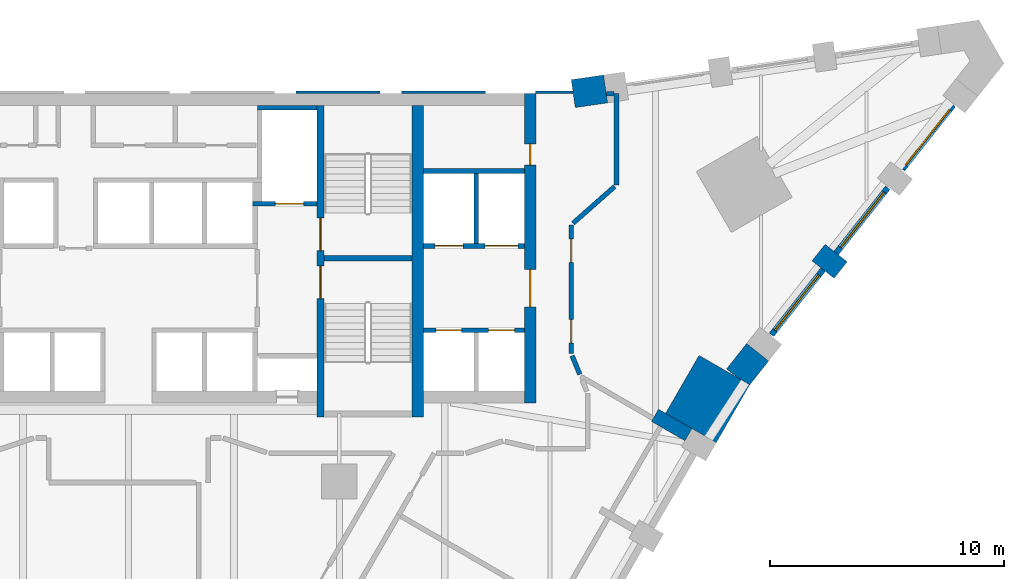
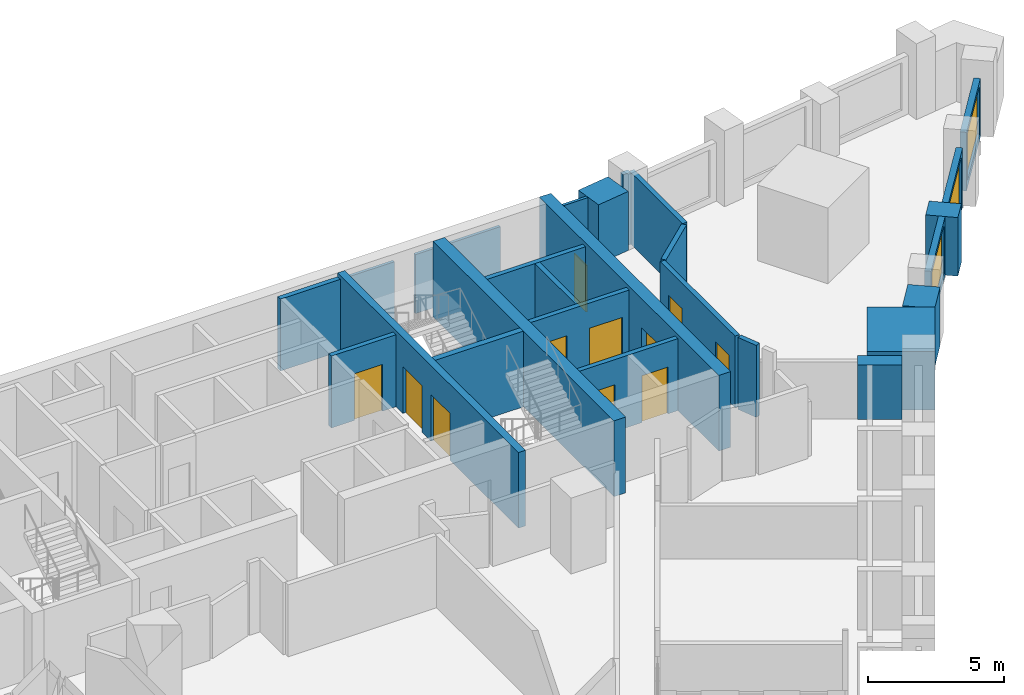
# One storey, part 8 of 10: 26 walls, 11 doors, 3 windows, 14 openings.
"""IFC4 building model written with IfcOpenShell, lengths in metres."""

from ifc_helpers import new_model, si_unit, direction, frame, frame_2d, origin, place, context, subcontext, project, spatial, polyline, rectangle, outline, extrude, material, layer, layer_set, type_object, element, fill, save


model = new_model("IFC4")

# Units and contexts
model_context = context("Model", 3, precision=1e-05, world=origin(), true_north=direction((0.0, 1.0)))
body_context = subcontext(model_context, "Body", "Model", "MODEL_VIEW")
ifc_project = project(units=[si_unit("LENGTHUNIT", "METRE"), si_unit("AREAUNIT", "SQUARE_METRE"), si_unit("VOLUMEUNIT", "CUBIC_METRE"), si_unit("PLANEANGLEUNIT", "RADIAN"), si_unit("MASSUNIT", "GRAM", prefix="KILO")], contexts=[model_context])

# Site, building, storey
site_placement = place(None, origin())
site = spatial("IfcSite", under=ifc_project, at=site_placement, CompositionType="ELEMENT")
building_placement = place(site_placement, origin())
building = spatial("IfcBuilding", under=site, at=building_placement, Name="Calabash Gate Tower", CompositionType="ELEMENT")
storey_placement = place(building_placement, frame((0.0, 0.0, 95.199951171875)))
storey = spatial("IfcBuildingStorey", under=building, at=storey_placement, Name="L20", CompositionType="ELEMENT", Elevation=95.199951171875)

# Walls
ifc_material_1 = material(Name="Terracotta brick masonry, exposed face", Category="masonry")
ifc_layer_1 = layer(ifc_material_1, 2.5)
ifc_layer_set_1 = layer_set([ifc_layer_1], Name="Brick corner mass wall 2500")
wall_type_1 = type_object("IfcWallType", Name="Brick corner mass wall 2500", PredefinedType="SOLIDWALL", material=ifc_layer_set_1)
wall_1_placement = place(storey_placement, origin())
element("IfcWall", 1, at=wall_1_placement, inside=storey, type_object=wall_type_1, Name="Brick corner pier S05 2", PredefinedType="SOLIDWALL", context=body_context, shape_type="SweptSolid", body=[
    extrude(outline(polyline([(22.927001953125, 5.405517578125), (25.092041015625, 4.155517578125), (26.51953125, 6.628173828125), (24.3544921875, 7.878173828125), (22.927001953125, 5.405517578125)])), origin(), (0.0, 0.0, 1.0), 2.630126953125),
])
ifc_material_2 = material(Name="Terracotta brick masonry, exposed face", Category="masonry")
ifc_layer_2 = layer(ifc_material_2, 1.199951171875)
ifc_layer_set_2 = layer_set([ifc_layer_2], Name="Brick end wall 1200")
wall_type_2 = type_object("IfcWallType", Name="Brick end wall 1200", PredefinedType="SOLIDWALL", material=ifc_layer_set_2)
wall_2_placement = place(storey_placement, frame((30.398193359375, 11.5224609375, 0.0), z_axis=(0.0, 0.0, 1.0), x_axis=(-0.784330409431, 0.620343299184, 0.0)))
element("IfcWall", 2, at=wall_2_placement, inside=storey, type_object=wall_type_2, Name="Brick pier S05 wedge3.1", PredefinedType="SOLIDWALL", context=body_context, shape_type="SweptSolid", body=[
    extrude(rectangle(XDim=1.199951171875, YDim=0.89990234375, at=frame_2d((0.60009765625, 0.0))), origin(), (0.0, 0.0, 1.0), 2.630126953125),
])
wall_3_placement = place(storey_placement, origin())
element("IfcWall", 3, at=wall_3_placement, inside=storey, type_object=wall_type_2, Name="Brick end wall S05 1", PredefinedType="SOLIDWALL", context=body_context, shape_type="SweptSolid", body=[
    extrude(outline(polyline([(26.386474609375, 8.38427734375), (25.529296875, 7.30029296875), (26.0, 6.92822265625), (26.51953125, 6.628173828125), (26.497802734375, 6.59033203125), (27.32763671875, 7.639892578125), (26.386474609375, 8.38427734375)])), origin(), (0.0, 0.0, 1.0), 2.630126953125),
])
wall_4_placement = place(storey_placement, frame((18.98583984375, 19.050537109375, 0.0), z_axis=(0.0, 0.0, 1.0), x_axis=(0.989435994601, 0.144970385211, 0.0)))
element("IfcWall", 4, at=wall_4_placement, inside=storey, type_object=wall_type_2, Name="Brick end wall S05 3", PredefinedType="SOLIDWALL", context=body_context, shape_type="SweptSolid", body=[
    extrude(rectangle(XDim=1.39599609375, YDim=1.199951171875, at=frame_2d((0.697998046875, 0.0))), origin(), (0.0, 0.0, 1.0), 2.650146484375),
])
ifc_material_3 = material(Name="Terracotta brick masonry, exposed face", Category="masonry")
ifc_layer_3 = layer(ifc_material_3, 0.300048828125)
ifc_layer_set_3 = layer_set([ifc_layer_3], Name="Brick loggia cheek wall 300")
wall_type_3 = type_object("IfcWallType", Name="Brick loggia cheek wall 300", PredefinedType="SOLIDWALL", material=ifc_layer_set_3)
wall_5_placement = place(storey_placement, frame((22.473876953125, 5.32080078125, 0.0), z_axis=(0.0, 0.0, 1.0), x_axis=(0.866040211805, -0.499974350878, 0.0)))
element("IfcWall", 5, at=wall_5_placement, inside=storey, type_object=wall_type_3, Name="Loggia cheek S05 SE2.8", PredefinedType="SOLIDWALL", context=body_context, shape_type="SweptSolid", body=[
    extrude(rectangle(XDim=1.64990234375, YDim=0.60009765625, at=frame_2d((0.824951171875, 0.0))), origin(), (0.0, 0.0, 1.0), 2.4501953125),
])
ifc_material_4 = material(Name="Concrete C80/95", Category="concrete")
ifc_layer_4 = layer(ifc_material_4, 0.25)
ifc_layer_set_4 = layer_set([ifc_layer_4], Name="Core wall 250 Concrete C80/95")
wall_type_4 = type_object("IfcWallType", Name="Core wall 250 Concrete C80/95", PredefinedType="SHEAR", material=ifc_layer_set_4)
wall_6_placement = place(storey_placement, frame((8.35009765625, 12.027587890625, 0.0), z_axis=(0.0, 0.0, 1.0), x_axis=(1.0, 0.0, 0.0)))
element("IfcWall", 6, at=wall_6_placement, inside=storey, type_object=wall_type_4, Name="Core wall Z2-MIDE L20", PredefinedType="SHEAR", context=body_context, shape_type="SweptSolid", body=[
    extrude(rectangle(XDim=3.75, YDim=0.25, at=frame_2d((1.875, 0.0))), origin(), (0.0, 0.0, 1.0), 3.400146484375),
])

# Wall, openings, doors
ifc_material_5 = material(Name="Concrete C80/95", Category="concrete")
ifc_layer_5 = layer(ifc_material_5, 0.300048828125)
ifc_layer_set_5 = layer_set([ifc_layer_5], Name="Core wall 300 Concrete C80/95")
wall_type_5 = type_object("IfcWallType", Name="Core wall 300 Concrete C80/95", PredefinedType="SHEAR", material=ifc_layer_set_5)
wall_7_placement = place(storey_placement, frame((8.199951171875, 5.252685546875, 0.0), z_axis=(0.0, 0.0, 1.0), x_axis=(0.0, 1.0, 0.0)))
wall_7 = element("IfcWall", 7, at=wall_7_placement, inside=storey, type_object=wall_type_5, Name="Core wall Z2-PARTE L20", PredefinedType="SHEAR", context=body_context, shape_type="SweptSolid", body=[
    extrude(rectangle(XDim=13.2998046875, YDim=0.300048828125, at=frame_2d((6.64990234375, 0.0))), origin(), (0.0, 0.0, 1.0), 3.400146484375),
])
opening_1_placement = place(wall_7_placement, frame((7.10009765625, 0.0, 0.0)))
opening_1 = element("IfcOpeningElement", 8, at=opening_1_placement, cuts=wall_7, Name="Opening H5-016", PredefinedType="OPENING", context=body_context, shape_type="SweptSolid", body=[
    extrude(rectangle(XDim=1.39990234375, YDim=2.10009765625, at=frame_2d((0.699951171875, 1.050048828125))), frame((0.0, 0.159912109375, 0.0), z_axis=(0.0, -1.0, 0.0), x_axis=(1.0, 0.0, 0.0)), (0.0, 0.0, 1.0), 0.320068359375),
])
opening_2_placement = place(wall_7_placement, frame((5.050048828125, 0.0, 0.0)))
opening_2 = element("IfcOpeningElement", 9, at=opening_2_placement, cuts=wall_7, Name="Opening H5-017", PredefinedType="OPENING", context=body_context, shape_type="SweptSolid", body=[
    extrude(rectangle(XDim=1.39990234375, YDim=2.10009765625, at=frame_2d((0.699951171875, 1.050048828125))), frame((0.0, 0.159912109375, 0.0), z_axis=(0.0, -1.0, 0.0), x_axis=(1.0, 0.0, 0.0)), (0.0, 0.0, 1.0), 0.320068359375),
])
ifc_material_6 = material(Name="Steel fire door set with fire-resisting glazing", Category="steel")
door_type_1 = type_object("IfcDoorType", Name="Fire door D05 1400x2100 FD90", OperationType="NOTDEFINED", PredefinedType="DOOR", material=ifc_material_6)
door_1_placement = place(opening_1_placement, origin())
door_1 = element("IfcDoor", 10, at=door_1_placement, inside=storey, type_object=door_type_1, Name="Exit stair door ST3", OperationType="SINGLE_SWING_RIGHT", OverallHeight=2.10009765625, OverallWidth=1.39990234375, PredefinedType="DOOR", context=body_context, shape_type="SweptSolid", body=[
    extrude(rectangle(XDim=1.39990234375, YDim=2.10009765625, at=frame_2d((0.699951171875, 1.050048828125))), frame((0.0, 0.02490234375, 0.0), z_axis=(0.0, -1.0, 0.0), x_axis=(1.0, 0.0, 0.0)), (0.0, 0.0, 1.0), 0.050048828125),
])
fill(opening_1, door_1)
door_2_placement = place(opening_2_placement, origin())
door_2 = element("IfcDoor", 11, at=door_2_placement, inside=storey, type_object=door_type_1, Name="Exit stair door ST4", OperationType="SINGLE_SWING_LEFT", OverallHeight=2.10009765625, OverallWidth=1.39990234375, PredefinedType="DOOR", context=body_context, shape_type="SweptSolid", body=[
    extrude(rectangle(XDim=1.39990234375, YDim=2.10009765625, at=frame_2d((0.699951171875, 1.050048828125))), frame((0.0, 0.02490234375, 0.0), z_axis=(0.0, -1.0, 0.0), x_axis=(1.0, 0.0, 0.0)), (0.0, 0.0, 1.0), 0.050048828125),
])
fill(opening_2, door_2)

# Wall
ifc_material_7 = material(Name="Concrete C80/95", Category="concrete")
ifc_layer_6 = layer(ifc_material_7, 0.5)
ifc_layer_set_6 = layer_set([ifc_layer_6], Name="Core wall 500 Concrete C80/95")
wall_type_6 = type_object("IfcWallType", Name="Core wall 500 Concrete C80/95", PredefinedType="SHEAR", material=ifc_layer_set_6)
wall_8_placement = place(storey_placement, frame((12.35009765625, 5.252685546875, 0.0), z_axis=(0.0, 0.0, 1.0), x_axis=(0.0, 1.0, 0.0)))
element("IfcWall", 12, at=wall_8_placement, inside=storey, type_object=wall_type_6, Name="Core wall Z2-COLE L20", PredefinedType="SHEAR", context=body_context, shape_type="SweptSolid", body=[
    extrude(rectangle(XDim=13.2998046875, YDim=0.5, at=frame_2d((6.64990234375, 0.0))), origin(), (0.0, 0.0, 1.0), 3.400146484375),
])

# Wall, openings, doors
wall_9_placement = place(storey_placement, frame((17.14990234375, 5.8525390625, 0.0), z_axis=(0.0, 0.0, 1.0), x_axis=(0.0, 1.0, 0.0)))
wall_9 = element("IfcWall", 13, at=wall_9_placement, inside=storey, type_object=wall_type_6, Name="Core wall Z2-ENDE L20", PredefinedType="SHEAR", context=body_context, shape_type="SweptSolid", body=[
    extrude(rectangle(XDim=13.199951171875, YDim=0.5, at=frame_2d((6.60009765625, 0.0))), origin(), (0.0, 0.0, 1.0), 3.400146484375),
])
opening_3_placement = place(wall_9_placement, frame((4.10009765625, 0.0, 0.0)))
opening_3 = element("IfcOpeningElement", 14, at=opening_3_placement, cuts=wall_9, Name="Opening H5-002", PredefinedType="OPENING", context=body_context, shape_type="SweptSolid", body=[
    extrude(rectangle(XDim=1.60009765625, YDim=2.10009765625, at=frame_2d((0.800048828125, 1.050048828125))), frame((0.0, 0.260009765625, 0.0), z_axis=(0.0, -1.0, 0.0), x_axis=(1.0, 0.0, 0.0)), (0.0, 0.0, 1.0), 0.52001953125),
])
opening_4_placement = place(wall_9_placement, frame((10.14990234375, 0.0, 0.0)))
opening_4 = element("IfcOpeningElement", 15, at=opening_4_placement, cuts=wall_9, Name="Opening H5-001", PredefinedType="OPENING", context=body_context, shape_type="SweptSolid", body=[
    extrude(rectangle(XDim=0.89990234375, YDim=2.10009765625, at=frame_2d((0.449951171875, 1.050048828125))), frame((0.0, 0.260009765625, 0.0), z_axis=(0.0, -1.0, 0.0), x_axis=(1.0, 0.0, 0.0)), (0.0, 0.0, 1.0), 0.52001953125),
])
ifc_material_8 = material(Name="Steel fire door set with fire-resisting glazing", Category="steel")
door_type_2 = type_object("IfcDoorType", Name="Double fire door D08 1600x2100 FD60", OperationType="DOUBLE_DOOR_SINGLE_SWING", PredefinedType="DOOR", material=ifc_material_8)
door_3_placement = place(opening_3_placement, origin())
door_3 = element("IfcDoor", 16, at=door_3_placement, inside=storey, type_object=door_type_2, Name="Low-rise Lift Lobby E door", OperationType="DOUBLE_DOOR_SINGLE_SWING", OverallHeight=2.10009765625, OverallWidth=1.60009765625, PredefinedType="DOOR", context=body_context, shape_type="SweptSolid", body=[
    extrude(rectangle(XDim=1.60009765625, YDim=2.10009765625, at=frame_2d((0.800048828125, 1.050048828125))), frame((0.0, 0.02490234375, 0.0), z_axis=(0.0, -1.0, 0.0), x_axis=(1.0, 0.0, 0.0)), (0.0, 0.0, 1.0), 0.050048828125),
])
fill(opening_3, door_3)
ifc_material_9 = material(Name="Steel fire door set with fire-resisting glazing", Category="steel")
door_type_3 = type_object("IfcDoorType", Name="Fire door D06 900x2100 FD60", OperationType="NOTDEFINED", PredefinedType="DOOR", material=ifc_material_9)
door_4_placement = place(opening_4_placement, origin())
door_4 = element("IfcDoor", 17, at=door_4_placement, inside=storey, type_object=door_type_3, Name="Linen Store door", OperationType="SINGLE_SWING_LEFT", OverallHeight=2.10009765625, OverallWidth=0.89990234375, PredefinedType="DOOR", context=body_context, shape_type="SweptSolid", body=[
    extrude(rectangle(XDim=0.89990234375, YDim=2.10009765625, at=frame_2d((0.449951171875, 1.050048828125))), frame((0.0, 0.02490234375, 0.0), z_axis=(0.0, -1.0, 0.0), x_axis=(1.0, 0.0, 0.0)), (0.0, 0.0, 1.0), 0.050048828125),
])
fill(opening_4, door_4)

# Wall
ifc_material_10 = material(Name="Gypsum board on steel studs, mineral wool", Category="steel")
ifc_layer_7 = layer(ifc_material_10, 0.199951171875)
ifc_layer_set_7 = layer_set([ifc_layer_7], Name="Partition 200 gypsum board EI 60")
wall_type_7 = type_object("IfcWallType", Name="Partition 200 gypsum board EI 60", PredefinedType="PARTITIONING", material=ifc_layer_set_7)
wall_10_placement = place(storey_placement, frame((18.938720703125, 7.860107421875, 0.0), z_axis=(0.0, 0.0, 1.0), x_axis=(0.382057312896, -0.924138631193, 0.0)))
element("IfcWall", 18, at=wall_10_placement, inside=storey, type_object=wall_type_7, Name="Partition", PredefinedType="PARTITIONING", context=body_context, shape_type="SweptSolid", body=[
    extrude(rectangle(XDim=0.854248046875, YDim=0.199951171875, at=frame_2d((0.42724609375, 0.0))), origin(), (0.0, 0.0, 1.0), 3.22998046875),
])

# Wall, openings, doors
wall_11_placement = place(storey_placement, frame((18.900390625, 7.95263671875, 0.0), z_axis=(0.0, 0.0, 1.0), x_axis=(0.0, 1.0, 0.0)))
wall_11 = element("IfcWall", 19, at=wall_11_placement, inside=storey, type_object=wall_type_7, Name="Partition", PredefinedType="PARTITIONING", context=body_context, shape_type="SweptSolid", body=[
    extrude(rectangle(XDim=5.499755859375, YDim=0.199951171875, at=frame_2d((2.75, 0.0))), origin(), (0.0, 0.0, 1.0), 3.22998046875),
])
opening_5_placement = place(wall_11_placement, frame((3.8994140625, 0.0, 0.0)))
opening_5 = element("IfcOpeningElement", 20, at=opening_5_placement, cuts=wall_11, Name="Opening 19-21-022", PredefinedType="OPENING", context=body_context, shape_type="SweptSolid", body=[
    extrude(rectangle(XDim=1.0, YDim=2.10009765625, at=frame_2d((0.5, 1.050048828125))), frame((0.0, 0.10986328125, 0.0), z_axis=(0.0, -1.0, 0.0), x_axis=(1.0, 0.0, 0.0)), (0.0, 0.0, 1.0), 0.219970703125),
])
opening_6_placement = place(wall_11_placement, frame((0.4501953125, 0.0, 0.0)))
opening_6 = element("IfcOpeningElement", 21, at=opening_6_placement, cuts=wall_11, Name="Opening 19-21-023", PredefinedType="OPENING", context=body_context, shape_type="SweptSolid", body=[
    extrude(rectangle(XDim=1.0, YDim=2.10009765625, at=frame_2d((0.5, 1.050048828125))), frame((0.0, 0.10986328125, 0.0), z_axis=(0.0, -1.0, 0.0), x_axis=(1.0, 0.0, 0.0)), (0.0, 0.0, 1.0), 0.219970703125),
])
ifc_material_11 = material(Name="Steel fire door set with fire-resisting glazing", Category="steel")
door_type_4 = type_object("IfcDoorType", Name="LD2 Meeting room door 1000x2100", OperationType="NOTDEFINED", PredefinedType="DOOR", material=ifc_material_11)
door_5_placement = place(opening_5_placement, origin())
door_5 = element("IfcDoor", 22, at=door_5_placement, inside=storey, type_object=door_type_4, Name="Meeting room door", OperationType="SINGLE_SWING_RIGHT", OverallHeight=2.10009765625, OverallWidth=1.0, PredefinedType="DOOR", context=body_context, shape_type="SweptSolid", body=[
    extrude(rectangle(XDim=1.0, YDim=2.10009765625, at=frame_2d((0.5, 1.050048828125))), frame((0.0, 0.02490234375, 0.0), z_axis=(0.0, -1.0, 0.0), x_axis=(1.0, 0.0, 0.0)), (0.0, 0.0, 1.0), 0.050048828125),
])
fill(opening_5, door_5)
door_6_placement = place(opening_6_placement, origin())
door_6 = element("IfcDoor", 23, at=door_6_placement, inside=storey, type_object=door_type_4, Name="Meeting room door", OperationType="SINGLE_SWING_LEFT", OverallHeight=2.10009765625, OverallWidth=1.0, PredefinedType="DOOR", context=body_context, shape_type="SweptSolid", body=[
    extrude(rectangle(XDim=1.0, YDim=2.10009765625, at=frame_2d((0.5, 1.050048828125))), frame((0.0, 0.02490234375, 0.0), z_axis=(0.0, -1.0, 0.0), x_axis=(1.0, 0.0, 0.0)), (0.0, 0.0, 1.0), 0.050048828125),
])
fill(opening_6, door_6)

# Walls
wall_12_placement = place(storey_placement, frame((18.9755859375, 13.5185546875, 0.0), z_axis=(0.0, 0.0, 1.0), x_axis=(0.749825828818, 0.661635266924, 0.0)))
element("IfcWall", 24, at=wall_12_placement, inside=storey, type_object=wall_type_7, Name="Partition", PredefinedType="PARTITIONING", context=body_context, shape_type="SweptSolid", body=[
    extrude(rectangle(XDim=2.36962890625, YDim=0.199951171875, at=frame_2d((1.184814453125, 0.0))), origin(), (0.0, 0.0, 1.0), 3.22998046875),
])
wall_13_placement = place(storey_placement, frame((20.39599609375, 19.052734375, 0.0), z_axis=(0.0, 0.0, 1.0), x_axis=(1.0, 0.0, 0.0)))
element("IfcWall", 25, at=wall_13_placement, inside=storey, type_object=wall_type_7, Name="Partition", PredefinedType="PARTITIONING", context=body_context, shape_type="SweptSolid", body=[
    extrude(rectangle(XDim=0.331298828125, YDim=0.199951171875, at=frame_2d((0.16552734375, 0.0))), origin(), (0.0, 0.0, 1.0), 3.22998046875),
])
wall_14_placement = place(storey_placement, frame((20.827392578125, 19.052734375, 0.0), z_axis=(0.0, 0.0, 1.0), x_axis=(0.0, -1.0, 0.0)))
element("IfcWall", 26, at=wall_14_placement, inside=storey, type_object=wall_type_7, Name="Partition", PredefinedType="PARTITIONING", context=body_context, shape_type="SweptSolid", body=[
    extrude(rectangle(XDim=3.900146484375, YDim=0.199951171875, at=frame_2d((1.9501953125, 0.0))), origin(), (0.0, 0.0, 1.0), 3.22998046875),
])

# Wall, opening, window
ifc_material_12 = material(Name="Aluminium framed window wall with insulated spandrel", Category="aluminium")
ifc_layer_8 = layer(ifc_material_12, 0.25)
ifc_layer_set_8 = layer_set([ifc_layer_8], Name="Prow window wall 250")
wall_type_8 = type_object("IfcWallType", Name="Prow window wall 250", PredefinedType="ELEMENTEDWALL", material=ifc_layer_set_8)
wall_15_placement = place(storey_placement, frame((27.446533203125, 8.757080078125, 0.0), z_axis=(0.0, 0.0, 1.0), x_axis=(0.620259189042, 0.784396926568, 0.0)))
wall_15 = element("IfcWall", 27, at=wall_15_placement, inside=storey, type_object=wall_type_8, Name="Prow window wall S05 wedge3.1", PredefinedType="ELEMENTEDWALL", context=body_context, shape_type="SweptSolid", body=[
    extrude(rectangle(XDim=3.552001953125, YDim=0.25, at=frame_2d((1.77587890625, 0.0))), origin(), (0.0, 0.0, 1.0), 2.630126953125),
])
opening_7_placement = place(wall_15_placement, frame((0.25, 0.0, 0.300048828125)))
opening_7 = element("IfcOpeningElement", 28, at=opening_7_placement, cuts=wall_15, Name="Opening WP1L-2130", PredefinedType="OPENING", context=body_context, shape_type="SweptSolid", body=[
    extrude(rectangle(XDim=3.0, YDim=2.1298828125, at=frame_2d((1.5, 1.06494140625))), frame((0.0, 0.135009765625, 0.0), z_axis=(0.0, -1.0, 0.0), x_axis=(1.0, 0.0, 0.0)), (0.0, 0.0, 1.0), 0.27001953125),
])
ifc_material_13 = material(Name="Anodised aluminium frame, bronze finish, impact-rated laminated clear glazing", Category="aluminium")
window_type = type_object("IfcWindowType", Name="Window WP1L 3000x2130", PartitioningType="DOUBLE_PANEL_VERTICAL", PredefinedType="WINDOW", material=ifc_material_13)
window_1_placement = place(opening_7_placement, origin())
window_1 = element("IfcWindow", 29, at=window_1_placement, inside=storey, type_object=window_type, Name="Prow window WP1L S05 wedge3.1", OverallHeight=2.1298828125, OverallWidth=3.0, PartitioningType="SINGLE_PANEL", PredefinedType="WINDOW", context=body_context, shape_type="SweptSolid", body=[
    extrude(rectangle(XDim=3.0, YDim=2.1298828125, at=frame_2d((1.5, 1.06494140625))), frame((0.0, 0.030029296875, 0.0), z_axis=(0.0, -1.0, 0.0), x_axis=(1.0, 0.0, 0.0)), (0.0, 0.0, 1.0), 0.06005859375),
])
fill(opening_7, window_1)

wall_16_placement = place(storey_placement, frame((30.20556640625, 12.24609375, 0.0), z_axis=(0.0, 0.0, 1.0), x_axis=(0.620334919108, 0.784337037335, 0.0)))
wall_16 = element("IfcWall", 30, at=wall_16_placement, inside=storey, type_object=wall_type_8, Name="Prow window wall S05 wedge3.2", PredefinedType="ELEMENTEDWALL", context=body_context, shape_type="SweptSolid", body=[
    extrude(rectangle(XDim=3.552001953125, YDim=0.25, at=frame_2d((1.77587890625, 0.0))), origin(), (0.0, 0.0, 1.0), 2.630126953125),
])
opening_8_placement = place(wall_16_placement, frame((0.302001953125, 0.0, 0.300048828125)))
opening_8 = element("IfcOpeningElement", 31, at=opening_8_placement, cuts=wall_16, Name="Opening WP1L-2130", PredefinedType="OPENING", context=body_context, shape_type="SweptSolid", body=[
    extrude(rectangle(XDim=3.0, YDim=2.1298828125, at=frame_2d((1.5, 1.06494140625))), frame((0.0, 0.135009765625, 0.0), z_axis=(0.0, -1.0, 0.0), x_axis=(1.0, 0.0, 0.0)), (0.0, 0.0, 1.0), 0.27001953125),
])
window_2_placement = place(opening_8_placement, origin())
window_2 = element("IfcWindow", 32, at=window_2_placement, inside=storey, type_object=window_type, Name="Prow window WP1L S05 wedge3.2", OverallHeight=2.1298828125, OverallWidth=3.0, PartitioningType="SINGLE_PANEL", PredefinedType="WINDOW", context=body_context, shape_type="SweptSolid", body=[
    extrude(rectangle(XDim=3.0, YDim=2.1298828125, at=frame_2d((1.5, 1.06494140625))), frame((0.0, 0.030029296875, 0.0), z_axis=(0.0, -1.0, 0.0), x_axis=(1.0, 0.0, 0.0)), (0.0, 0.0, 1.0), 0.06005859375),
])
fill(opening_8, window_2)

wall_17_placement = place(storey_placement, frame((33.029052734375, 15.81640625, 0.0), z_axis=(0.0, 0.0, 1.0), x_axis=(0.620304451578, 0.78436113325, 0.0)))
wall_17 = element("IfcWall", 33, at=wall_17_placement, inside=storey, type_object=wall_type_8, Name="Prow window wall S05 wedge3.3", PredefinedType="ELEMENTEDWALL", context=body_context, shape_type="SweptSolid", body=[
    extrude(rectangle(XDim=3.500244140625, YDim=0.25, at=frame_2d((1.75, 0.0))), origin(), (0.0, 0.0, 1.0), 2.630126953125),
])
opening_9_placement = place(wall_17_placement, frame((0.25, 0.0, 0.300048828125)))
opening_9 = element("IfcOpeningElement", 34, at=opening_9_placement, cuts=wall_17, Name="Opening WP1L-2130", PredefinedType="OPENING", context=body_context, shape_type="SweptSolid", body=[
    extrude(rectangle(XDim=3.0, YDim=2.1298828125, at=frame_2d((1.5, 1.06494140625))), frame((0.0, 0.135009765625, 0.0), z_axis=(0.0, -1.0, 0.0), x_axis=(1.0, 0.0, 0.0)), (0.0, 0.0, 1.0), 0.27001953125),
])
window_3_placement = place(opening_9_placement, origin())
window_3 = element("IfcWindow", 35, at=window_3_placement, inside=storey, type_object=window_type, Name="Prow window WP1L S05 wedge3.3", OverallHeight=2.1298828125, OverallWidth=3.0, PartitioningType="SINGLE_PANEL", PredefinedType="WINDOW", context=body_context, shape_type="SweptSolid", body=[
    extrude(rectangle(XDim=3.0, YDim=2.1298828125, at=frame_2d((1.5, 1.06494140625))), frame((0.0, 0.030029296875, 0.0), z_axis=(0.0, -1.0, 0.0), x_axis=(1.0, 0.0, 0.0)), (0.0, 0.0, 1.0), 0.06005859375),
])
fill(opening_9, window_3)

# Wall, openings, doors
ifc_material_14 = material(Name="Concrete C40/50", Category="concrete")
ifc_layer_9 = layer(ifc_material_14, 0.199951171875)
ifc_layer_set_9 = layer_set([ifc_layer_9], Name="Shaft wall 200 Concrete C40/50")
wall_type_9 = type_object("IfcWallType", Name="Shaft wall 200 Concrete C40/50", PredefinedType="SOLIDWALL", material=ifc_layer_set_9)
wall_18_placement = place(storey_placement, frame((12.60009765625, 8.95263671875, 0.0), z_axis=(0.0, 0.0, 1.0), x_axis=(1.0, 0.0, 0.0)))
wall_18 = element("IfcWall", 36, at=wall_18_placement, inside=storey, type_object=wall_type_9, Name="Shaft wall", PredefinedType="SOLIDWALL", context=body_context, shape_type="SweptSolid", body=[
    extrude(rectangle(XDim=4.2998046875, YDim=0.199951171875, at=frame_2d((2.14990234375, 0.0))), origin(), (0.0, 0.0, 1.0), 3.22998046875),
])
opening_10_placement = place(wall_18_placement, frame((0.52490234375, 0.0, 0.0)))
opening_10 = element("IfcOpeningElement", 37, at=opening_10_placement, cuts=wall_18, Name="Opening LD-LR5", PredefinedType="OPENING", context=body_context, shape_type="SweptSolid", body=[
    extrude(rectangle(XDim=1.10009765625, YDim=2.10009765625, at=frame_2d((0.550048828125, 1.050048828125))), frame((0.0, 0.10986328125, 0.0), z_axis=(0.0, -1.0, 0.0), x_axis=(1.0, 0.0, 0.0)), (0.0, 0.0, 1.0), 0.219970703125),
])
opening_11_placement = place(wall_18_placement, frame((2.77490234375, 0.0, 0.0)))
opening_11 = element("IfcOpeningElement", 38, at=opening_11_placement, cuts=wall_18, Name="Opening LD-LR6", PredefinedType="OPENING", context=body_context, shape_type="SweptSolid", body=[
    extrude(rectangle(XDim=1.10009765625, YDim=2.10009765625, at=frame_2d((0.550048828125, 1.050048828125))), frame((0.0, 0.10986328125, 0.0), z_axis=(0.0, -1.0, 0.0), x_axis=(1.0, 0.0, 0.0)), (0.0, 0.0, 1.0), 0.219970703125),
])
ifc_material_15 = material(Name="Stainless steel sliding door leaves", Category="steel")
door_type_5 = type_object("IfcDoorType", Name="Lift landing door LS1 1100x2100 FD90", OperationType="DOUBLE_DOOR_SLIDING", PredefinedType="DOOR", material=ifc_material_15)
door_7_placement = place(opening_10_placement, origin())
door_7 = element("IfcDoor", 39, at=door_7_placement, inside=storey, type_object=door_type_5, Name="Lift landing door LR5", OperationType="DOUBLE_DOOR_SLIDING", OverallHeight=2.10009765625, OverallWidth=1.10009765625, PredefinedType="DOOR", context=body_context, shape_type="SweptSolid", body=[
    extrude(rectangle(XDim=1.10009765625, YDim=2.10009765625, at=frame_2d((0.550048828125, 1.050048828125))), frame((0.0, 0.02490234375, 0.0), z_axis=(0.0, -1.0, 0.0), x_axis=(1.0, 0.0, 0.0)), (0.0, 0.0, 1.0), 0.050048828125),
])
fill(opening_10, door_7)
door_8_placement = place(opening_11_placement, origin())
door_8 = element("IfcDoor", 40, at=door_8_placement, inside=storey, type_object=door_type_5, Name="Lift landing door LR6", OperationType="DOUBLE_DOOR_SLIDING", OverallHeight=2.10009765625, OverallWidth=1.10009765625, PredefinedType="DOOR", context=body_context, shape_type="SweptSolid", body=[
    extrude(rectangle(XDim=1.10009765625, YDim=2.10009765625, at=frame_2d((0.550048828125, 1.050048828125))), frame((0.0, 0.02490234375, 0.0), z_axis=(0.0, -1.0, 0.0), x_axis=(1.0, 0.0, 0.0)), (0.0, 0.0, 1.0), 0.050048828125),
])
fill(opening_11, door_8)

wall_19_placement = place(storey_placement, frame((12.60009765625, 12.552490234375, 0.0), z_axis=(0.0, 0.0, 1.0), x_axis=(1.0, 0.0, 0.0)))
wall_19 = element("IfcWall", 41, at=wall_19_placement, inside=storey, type_object=wall_type_9, Name="Shaft wall", PredefinedType="SOLIDWALL", context=body_context, shape_type="SweptSolid", body=[
    extrude(rectangle(XDim=4.2998046875, YDim=0.199951171875, at=frame_2d((2.14990234375, 0.0))), origin(), (0.0, 0.0, 1.0), 3.22998046875),
])
opening_12_placement = place(wall_19_placement, frame((0.47509765625, 0.0, 0.0)))
opening_12 = element("IfcOpeningElement", 42, at=opening_12_placement, cuts=wall_19, Name="Opening LD-SL1", PredefinedType="OPENING", context=body_context, shape_type="SweptSolid", body=[
    extrude(rectangle(XDim=1.199951171875, YDim=2.10009765625, at=frame_2d((0.60009765625, 1.050048828125))), frame((0.0, 0.10986328125, 0.0), z_axis=(0.0, -1.0, 0.0), x_axis=(1.0, 0.0, 0.0)), (0.0, 0.0, 1.0), 0.219970703125),
])
opening_13_placement = place(wall_19_placement, frame((2.625, 0.0, 0.0)))
opening_13 = element("IfcOpeningElement", 43, at=opening_13_placement, cuts=wall_19, Name="Opening LD-GL1", PredefinedType="OPENING", context=body_context, shape_type="SweptSolid", body=[
    extrude(rectangle(XDim=1.39990234375, YDim=2.10009765625, at=frame_2d((0.699951171875, 1.050048828125))), frame((0.0, 0.10986328125, 0.0), z_axis=(0.0, -1.0, 0.0), x_axis=(1.0, 0.0, 0.0)), (0.0, 0.0, 1.0), 0.219970703125),
])
ifc_material_16 = material(Name="Stainless steel sliding door leaves", Category="steel")
door_type_6 = type_object("IfcDoorType", Name="Lift landing door LS3 1200x2100 FD90", OperationType="DOUBLE_DOOR_SLIDING", PredefinedType="DOOR", material=ifc_material_16)
door_9_placement = place(opening_12_placement, origin())
door_9 = element("IfcDoor", 44, at=door_9_placement, inside=storey, type_object=door_type_6, Name="Lift landing door SL1", OperationType="DOUBLE_DOOR_SLIDING", OverallHeight=2.10009765625, OverallWidth=1.199951171875, PredefinedType="DOOR", context=body_context, shape_type="SweptSolid", body=[
    extrude(rectangle(XDim=1.199951171875, YDim=2.10009765625, at=frame_2d((0.60009765625, 1.050048828125))), frame((0.0, 0.02490234375, 0.0), z_axis=(0.0, -1.0, 0.0), x_axis=(1.0, 0.0, 0.0)), (0.0, 0.0, 1.0), 0.050048828125),
])
fill(opening_12, door_9)
ifc_material_17 = material(Name="Stainless steel sliding door leaves", Category="steel")
door_type_7 = type_object("IfcDoorType", Name="Lift landing door LS4 1400x2100 FD90", OperationType="DOUBLE_DOOR_SLIDING", PredefinedType="DOOR", material=ifc_material_17)
door_10_placement = place(opening_13_placement, origin())
door_10 = element("IfcDoor", 45, at=door_10_placement, inside=storey, type_object=door_type_7, Name="Lift landing door GL1", OperationType="DOUBLE_DOOR_SLIDING", OverallHeight=2.10009765625, OverallWidth=1.39990234375, PredefinedType="DOOR", context=body_context, shape_type="SweptSolid", body=[
    extrude(rectangle(XDim=1.39990234375, YDim=2.10009765625, at=frame_2d((0.699951171875, 1.050048828125))), frame((0.0, 0.02490234375, 0.0), z_axis=(0.0, -1.0, 0.0), x_axis=(1.0, 0.0, 0.0)), (0.0, 0.0, 1.0), 0.050048828125),
])
fill(opening_13, door_10)

# Wall
wall_20_placement = place(storey_placement, frame((14.85009765625, 12.652587890625, 0.0), z_axis=(0.0, 0.0, 1.0), x_axis=(0.0, 1.0, 0.0)))
element("IfcWall", 46, at=wall_20_placement, inside=storey, type_object=wall_type_9, Name="Shaft wall", PredefinedType="SOLIDWALL", context=body_context, shape_type="SweptSolid", body=[
    extrude(rectangle(XDim=3.0, YDim=0.199951171875, at=frame_2d((1.5, 0.0))), origin(), (0.0, 0.0, 1.0), 3.22998046875),
])

# Wall, opening, door
wall_21_placement = place(storey_placement, frame((5.300048828125, 14.3525390625, 0.0), z_axis=(0.0, 0.0, 1.0), x_axis=(1.0, 0.0, 0.0)))
wall_21 = element("IfcWall", 47, at=wall_21_placement, inside=storey, type_object=wall_type_9, Name="Shaft wall", PredefinedType="SOLIDWALL", context=body_context, shape_type="SweptSolid", body=[
    extrude(rectangle(XDim=2.75, YDim=0.199951171875, at=frame_2d((1.375, 0.0))), origin(), (0.0, 0.0, 1.0), 3.22998046875),
])
opening_14_placement = place(wall_21_placement, frame((0.97509765625, 0.0, 0.0)))
opening_14 = element("IfcOpeningElement", 48, at=opening_14_placement, cuts=wall_21, Name="Opening LD-FF2", PredefinedType="OPENING", context=body_context, shape_type="SweptSolid", body=[
    extrude(rectangle(XDim=1.199951171875, YDim=2.10009765625, at=frame_2d((0.60009765625, 1.050048828125))), frame((0.0, 0.10986328125, 0.0), z_axis=(0.0, -1.0, 0.0), x_axis=(1.0, 0.0, 0.0)), (0.0, 0.0, 1.0), 0.219970703125),
])
door_11_placement = place(opening_14_placement, origin())
door_11 = element("IfcDoor", 49, at=door_11_placement, inside=storey, type_object=door_type_6, Name="Lift landing door FF2", OperationType="DOUBLE_DOOR_SLIDING", OverallHeight=2.10009765625, OverallWidth=1.199951171875, PredefinedType="DOOR", context=body_context, shape_type="SweptSolid", body=[
    extrude(rectangle(XDim=1.199951171875, YDim=2.10009765625, at=frame_2d((0.60009765625, 1.050048828125))), frame((0.0, 0.02490234375, 0.0), z_axis=(0.0, -1.0, 0.0), x_axis=(1.0, 0.0, 0.0)), (0.0, 0.0, 1.0), 0.050048828125),
])
fill(opening_14, door_11)

# Walls
wall_22_placement = place(storey_placement, frame((12.60009765625, 15.752685546875, 0.0), z_axis=(0.0, 0.0, 1.0), x_axis=(1.0, 0.0, 0.0)))
element("IfcWall", 50, at=wall_22_placement, inside=storey, type_object=wall_type_9, Name="Shaft wall", PredefinedType="SOLIDWALL", context=body_context, shape_type="SweptSolid", body=[
    extrude(rectangle(XDim=4.2998046875, YDim=0.199951171875, at=frame_2d((2.14990234375, 0.0))), origin(), (0.0, 0.0, 1.0), 3.22998046875),
])
wall_23_placement = place(storey_placement, frame((5.5, 18.45263671875, 0.0), z_axis=(0.0, 0.0, 1.0), x_axis=(1.0, 0.0, 0.0)))
element("IfcWall", 51, at=wall_23_placement, inside=storey, type_object=wall_type_9, Name="Shaft wall", PredefinedType="SOLIDWALL", context=body_context, shape_type="SweptSolid", body=[
    extrude(rectangle(XDim=2.550048828125, YDim=0.199951171875, at=frame_2d((1.27490234375, 0.0))), origin(), (0.0, 0.0, 1.0), 3.22998046875),
])
ifc_material_18 = material(Name="Terracotta brick masonry, perforated", Category="masonry")
ifc_layer_10 = layer(ifc_material_18, 0.1201171875)
ifc_layer_set_10 = layer_set([ifc_layer_10], Name="Terracotta jaali cladding A 120")
wall_type_10 = type_object("IfcWallType", Name="Terracotta jaali cladding A 120", PredefinedType="SOLIDWALL", material=ifc_layer_set_10)
wall_24_placement = place(storey_placement, origin())
element("IfcWall", 52, at=wall_24_placement, inside=storey, type_object=wall_type_10, Name="Jaali cladding S05 N6.1", PredefinedType="SOLIDWALL", context=body_context, shape_type="SweptSolid", body=[
    extrude(outline(polyline([(11.64501953125, 19.172607421875), (11.64501953125, 19.052490234375), (15.244873046875, 19.052490234375), (15.244873046875, 19.172607421875), (11.64501953125, 19.172607421875)])), origin(), (0.0, 0.0, 1.0), 2.650146484375),
])
wall_25_placement = place(storey_placement, frame((17.3798828125, 19.112548828125, 0.0), z_axis=(0.0, 0.0, 1.0), x_axis=(1.0, 0.0, 0.0)))
element("IfcWall", 53, at=wall_25_placement, inside=storey, type_object=wall_type_10, Name="Jaali cladding S05 N6.c1", PredefinedType="SOLIDWALL", context=body_context, shape_type="SweptSolid", body=[
    extrude(rectangle(XDim=1.590087890625, YDim=0.1201171875, at=frame_2d((0.794921875, 0.0))), origin(), (0.0, 0.0, 1.0), 2.650146484375),
])
ifc_material_19 = material(Name="Terracotta louvre blades in an aluminium frame", Category="masonry")
ifc_layer_11 = layer(ifc_material_19, 0.1201171875)
ifc_layer_set_11 = layer_set([ifc_layer_11], Name="Terracotta vent louvre cladding 120")
wall_type_11 = type_object("IfcWallType", Name="Terracotta vent louvre cladding 120", PredefinedType="ELEMENTEDWALL", material=ifc_layer_set_11)
wall_26_placement = place(storey_placement, origin())
element("IfcWall", 54, at=wall_26_placement, inside=storey, type_object=wall_type_11, Name="Vent louvre cladding S05 N6.2", PredefinedType="ELEMENTEDWALL", context=body_context, shape_type="SweptSolid", body=[
    extrude(outline(polyline([(7.14501953125, 19.172607421875), (7.14501953125, 19.052490234375), (10.744873046875, 19.052490234375), (10.744873046875, 19.172607421875), (7.14501953125, 19.172607421875)])), origin(), (0.0, 0.0, 1.0), 2.650146484375),
])

save(model, "model.ifc")
